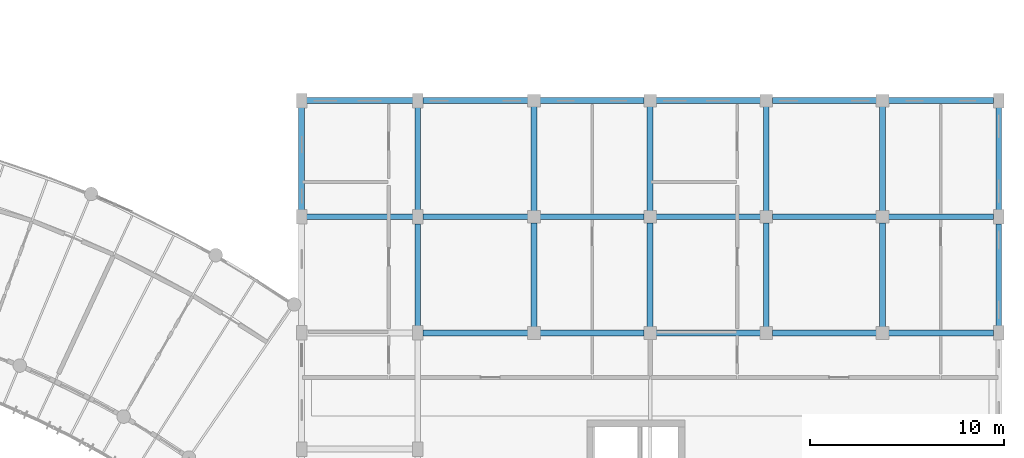
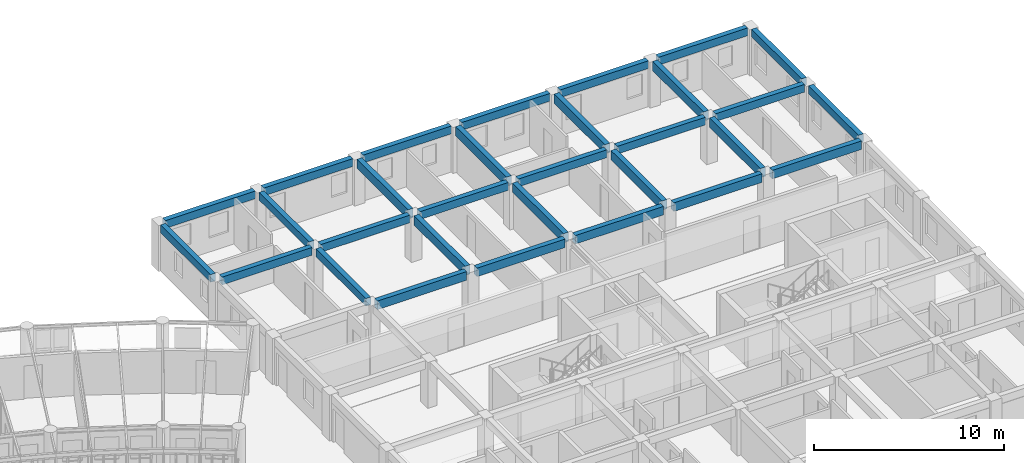
# One storey, part 57 of 123: 30 beams.
"""IFC4 building model written with IfcOpenShell, lengths in metres."""

from ifc_helpers import new_model, si_unit, direction, frame, origin, origin_2d, place, context, subcontext, project, spatial, rectangle, extrude, material, material_profile, profile_set, type_object, element, save


model = new_model("IFC4")

# Units and contexts
model_context = context("Model", 3, precision=1e-05, world=origin(), true_north=direction((0.0, 1.0)))
body_context = subcontext(model_context, "Body", "Model", "MODEL_VIEW")
ifc_project = project(units=[si_unit("LENGTHUNIT", "METRE"), si_unit("AREAUNIT", "SQUARE_METRE"), si_unit("VOLUMEUNIT", "CUBIC_METRE"), si_unit("PLANEANGLEUNIT", "RADIAN"), si_unit("MASSUNIT", "GRAM", prefix="KILO"), si_unit("POWERUNIT", "WATT"), si_unit("THERMODYNAMICTEMPERATUREUNIT", "KELVIN")], contexts=[model_context])

# Site, building, storey
site_placement = place(None, origin())
site = spatial("IfcSite", under=ifc_project, at=site_placement, CompositionType="ELEMENT")
building_placement = place(site_placement, origin())
building = spatial("IfcBuilding", under=site, at=building_placement, Name="Ruvembo Vaulted Housing Court", CompositionType="ELEMENT")
storey_placement = place(building_placement, frame((0.0, 0.0, 7.699951171875)))
storey = spatial("IfcBuildingStorey", under=building, at=storey_placement, Name="L02", CompositionType="ELEMENT", Elevation=7.699951171875)

# Beams
ifc_material = material(Name="Concrete C35/45", Category="concrete")
ifc_material_profile_1 = material_profile(ifc_material, rectangle(XDim=0.300048828125, YDim=0.550048828125, at=origin_2d()), Name="RC 300x550")
ifc_profile_set_1 = profile_set([ifc_material_profile_1], Name="Concrete C35/45")
beam_type_1 = type_object("IfcBeamType", Name="BM-RC-300x550", PredefinedType="BEAM", material=ifc_profile_set_1)
beam_1_placement = place(storey_placement, frame((156.260009765625, 96.0, 2.679931640625), z_axis=(1.0, 0.0, 0.0), x_axis=(0.0, 1.0, 0.0)))
element("IfcBeam", 1, at=beam_1_placement, inside=storey, type_object=beam_type_1, Name="L02 Grid Beam X #1534", PredefinedType="BEAM", context=body_context, shape_type="SweptSolid", body=[
    extrude(rectangle(XDim=0.300048828125, YDim=0.550048828125, at=origin_2d()), origin(), (0.0, 0.0, 1.0), 5.429931640625),
])
for number, where, z_axis, x_axis, name in (
    (2, (162.31005859375, 96.0, 2.679931640625), (1.0, 0.0, 0.0), (0.0, 1.0, 0.0), "L02 Grid Beam X #1535"),
    (3, (168.31005859375, 96.0, 2.679931640625), (1.0, 0.0, 0.0), (0.0, 1.0, 0.0), "L02 Grid Beam X #1536"),
    (4, (174.31005859375, 96.0, 2.679931640625), (1.0, 0.0, 0.0), (0.0, 1.0, 0.0), "L02 Grid Beam X #1537"),
):
    element("IfcBeam", number, at=place(storey_placement, frame(where, z_axis=z_axis, x_axis=x_axis)), inside=storey, type_object=beam_type_1, Name=name, PredefinedType="BEAM", context=body_context, shape_type="SweptSolid", body=[
        extrude(rectangle(XDim=0.300048828125, YDim=0.550048828125, at=origin_2d()), origin(), (0.0, 0.0, 1.0), 5.3798828125),
    ])
beam_2_placement = place(storey_placement, frame((180.31005859375, 96.0, 2.679931640625), z_axis=(1.0, 0.0, 0.0), x_axis=(0.0, 1.0, 0.0)))
element("IfcBeam", 5, at=beam_2_placement, inside=storey, type_object=beam_type_1, Name="L02 Grid Beam X #1538", PredefinedType="BEAM", context=body_context, shape_type="SweptSolid", body=[
    extrude(rectangle(XDim=0.300048828125, YDim=0.550048828125, at=origin_2d()), origin(), (0.0, 0.0, 1.0), 5.429931640625),
])
ifc_material_profile_2 = material_profile(ifc_material, rectangle(XDim=0.300048828125, YDim=0.60009765625, at=origin_2d()), Name="RC 300x600")
ifc_profile_set_2 = profile_set([ifc_material_profile_2], Name="Concrete C35/45")
beam_type_2 = type_object("IfcBeamType", Name="BM-RC-300x600", PredefinedType="BEAM", material=ifc_profile_set_2)
for number, where, z_axis, x_axis, name in (
    (6, (162.0, 96.31005859375, 2.655029296875), (0.0, 1.0, 0.0), (-1.0, 0.0, 0.0), "L02 Grid Beam Y #1688"),
    (7, (162.0, 102.31005859375, 2.655029296875), (0.0, 1.0, 0.0), (-1.0, 0.0, 0.0), "L02 Grid Beam Y #1689"),
    (8, (168.0, 96.31005859375, 2.655029296875), (0.0, 1.0, 0.0), (-1.0, 0.0, 0.0), "L02 Grid Beam Y #1693"),
    (9, (168.0, 102.31005859375, 2.655029296875), (0.0, 1.0, 0.0), (-1.0, 0.0, 0.0), "L02 Grid Beam Y #1694"),
    (10, (174.0, 96.31005859375, 2.655029296875), (0.0, 1.0, 0.0), (-1.0, 0.0, 0.0), "L02 Grid Beam Y #1697"),
    (11, (174.0, 102.31005859375, 2.655029296875), (0.0, 1.0, 0.0), (-1.0, 0.0, 0.0), "L02 Grid Beam Y #1698"),
    (12, (180.0, 96.31005859375, 2.655029296875), (0.0, 1.0, 0.0), (-1.0, 0.0, 0.0), "L02 Grid Beam Y #1701"),
    (13, (180.0, 102.31005859375, 2.655029296875), (0.0, 1.0, 0.0), (-1.0, 0.0, 0.0), "L02 Grid Beam Y #1702"),
):
    element("IfcBeam", number, at=place(storey_placement, frame(where, z_axis=z_axis, x_axis=x_axis)), inside=storey, type_object=beam_type_2, Name=name, PredefinedType="BEAM", context=body_context, shape_type="SweptSolid", body=[
        extrude(rectangle(XDim=0.300048828125, YDim=0.60009765625, at=origin_2d()), origin(), (0.0, 0.0, 1.0), 5.3798828125),
    ])
ifc_material_profile_3 = material_profile(ifc_material, rectangle(XDim=0.300048828125, YDim=0.5, at=origin_2d()), Name="RC 300x500")
ifc_profile_set_3 = profile_set([ifc_material_profile_3], Name="Concrete C35/45")
beam_type_3 = type_object("IfcBeamType", Name="SP-RC-300x500", PredefinedType="SPANDREL", material=ifc_profile_set_3)
beam_3_placement = place(storey_placement, frame((150.260009765625, 102.0, 2.705078125), z_axis=(1.0, 0.0, 0.0), x_axis=(0.0, 1.0, 0.0)))
element("IfcBeam", 14, at=beam_3_placement, inside=storey, type_object=beam_type_3, Name="L02 Grid Beam X #1545", PredefinedType="SPANDREL", context=body_context, shape_type="SweptSolid", body=[
    extrude(rectangle(XDim=0.300048828125, YDim=0.5, at=origin_2d()), origin(), (0.0, 0.0, 1.0), 5.47998046875),
])
beam_4_placement = place(storey_placement, frame((156.260009765625, 102.0, 2.705078125), z_axis=(1.0, 0.0, 0.0), x_axis=(0.0, 1.0, 0.0)))
element("IfcBeam", 15, at=beam_4_placement, inside=storey, type_object=beam_type_3, Name="L02 Grid Beam X #1546", PredefinedType="SPANDREL", context=body_context, shape_type="SweptSolid", body=[
    extrude(rectangle(XDim=0.300048828125, YDim=0.5, at=origin_2d()), origin(), (0.0, 0.0, 1.0), 5.429931640625),
])
for number, where, z_axis, x_axis, name in (
    (16, (162.31005859375, 102.0, 2.705078125), (1.0, 0.0, 0.0), (0.0, 1.0, 0.0), "L02 Grid Beam X #1547"),
    (17, (168.31005859375, 102.0, 2.705078125), (1.0, 0.0, 0.0), (0.0, 1.0, 0.0), "L02 Grid Beam X #1548"),
    (18, (174.31005859375, 102.0, 2.705078125), (1.0, 0.0, 0.0), (0.0, 1.0, 0.0), "L02 Grid Beam X #1549"),
):
    element("IfcBeam", number, at=place(storey_placement, frame(where, z_axis=z_axis, x_axis=x_axis)), inside=storey, type_object=beam_type_3, Name=name, PredefinedType="SPANDREL", context=body_context, shape_type="SweptSolid", body=[
        extrude(rectangle(XDim=0.300048828125, YDim=0.5, at=origin_2d()), origin(), (0.0, 0.0, 1.0), 5.3798828125),
    ])
beam_5_placement = place(storey_placement, frame((180.31005859375, 102.0, 2.705078125), z_axis=(1.0, 0.0, 0.0), x_axis=(0.0, 1.0, 0.0)))
element("IfcBeam", 19, at=beam_5_placement, inside=storey, type_object=beam_type_3, Name="L02 Grid Beam X #1550", PredefinedType="SPANDREL", context=body_context, shape_type="SweptSolid", body=[
    extrude(rectangle(XDim=0.300048828125, YDim=0.5, at=origin_2d()), origin(), (0.0, 0.0, 1.0), 5.429931640625),
])
beam_6_placement = place(storey_placement, frame((150.260009765625, 108.0, 2.705078125), z_axis=(1.0, 0.0, 0.0), x_axis=(0.0, 1.0, 0.0)))
element("IfcBeam", 20, at=beam_6_placement, inside=storey, type_object=beam_type_3, Name="L02 Grid Beam X #1557", PredefinedType="SPANDREL", context=body_context, shape_type="SweptSolid", body=[
    extrude(rectangle(XDim=0.300048828125, YDim=0.5, at=origin_2d()), origin(), (0.0, 0.0, 1.0), 5.47998046875),
])
beam_7_placement = place(storey_placement, frame((156.260009765625, 108.0, 2.705078125), z_axis=(1.0, 0.0, 0.0), x_axis=(0.0, 1.0, 0.0)))
element("IfcBeam", 21, at=beam_7_placement, inside=storey, type_object=beam_type_3, Name="L02 Grid Beam X #1558", PredefinedType="SPANDREL", context=body_context, shape_type="SweptSolid", body=[
    extrude(rectangle(XDim=0.300048828125, YDim=0.5, at=origin_2d()), origin(), (0.0, 0.0, 1.0), 5.429931640625),
])
for number, where, z_axis, x_axis, name in (
    (22, (162.31005859375, 108.0, 2.705078125), (1.0, 0.0, 0.0), (0.0, 1.0, 0.0), "L02 Grid Beam X #1559"),
    (23, (168.31005859375, 108.0, 2.705078125), (1.0, 0.0, 0.0), (0.0, 1.0, 0.0), "L02 Grid Beam X #1560"),
    (24, (174.31005859375, 108.0, 2.705078125), (1.0, 0.0, 0.0), (0.0, 1.0, 0.0), "L02 Grid Beam X #1561"),
):
    element("IfcBeam", number, at=place(storey_placement, frame(where, z_axis=z_axis, x_axis=x_axis)), inside=storey, type_object=beam_type_3, Name=name, PredefinedType="SPANDREL", context=body_context, shape_type="SweptSolid", body=[
        extrude(rectangle(XDim=0.300048828125, YDim=0.5, at=origin_2d()), origin(), (0.0, 0.0, 1.0), 5.3798828125),
    ])
beam_8_placement = place(storey_placement, frame((180.31005859375, 108.0, 2.705078125), z_axis=(1.0, 0.0, 0.0), x_axis=(0.0, 1.0, 0.0)))
element("IfcBeam", 25, at=beam_8_placement, inside=storey, type_object=beam_type_3, Name="L02 Grid Beam X #1562", PredefinedType="SPANDREL", context=body_context, shape_type="SweptSolid", body=[
    extrude(rectangle(XDim=0.300048828125, YDim=0.5, at=origin_2d()), origin(), (0.0, 0.0, 1.0), 5.429931640625),
])
for number, where, z_axis, x_axis, name in (
    (26, (150.0, 102.360107421875, 2.705078125), (0.0, 1.0, 0.0), (-1.0, 0.0, 0.0), "L02 Grid Beam Y #1679"),
    (27, (156.0, 96.360107421875, 2.705078125), (0.0, 1.0, 0.0), (-1.0, 0.0, 0.0), "L02 Grid Beam Y #1684"),
    (28, (156.0, 102.360107421875, 2.705078125), (0.0, 1.0, 0.0), (-1.0, 0.0, 0.0), "L02 Grid Beam Y #1685"),
    (29, (186.0, 96.360107421875, 2.705078125), (0.0, 1.0, 0.0), (-1.0, 0.0, 0.0), "L02 Grid Beam Y #1707"),
    (30, (186.0, 102.360107421875, 2.705078125), (0.0, 1.0, 0.0), (-1.0, 0.0, 0.0), "L02 Grid Beam Y #1708"),
):
    element("IfcBeam", number, at=place(storey_placement, frame(where, z_axis=z_axis, x_axis=x_axis)), inside=storey, type_object=beam_type_3, Name=name, PredefinedType="SPANDREL", context=body_context, shape_type="SweptSolid", body=[
        extrude(rectangle(XDim=0.300048828125, YDim=0.5, at=origin_2d()), origin(), (0.0, 0.0, 1.0), 5.27978515625),
    ])

save(model, "model.ifc")
